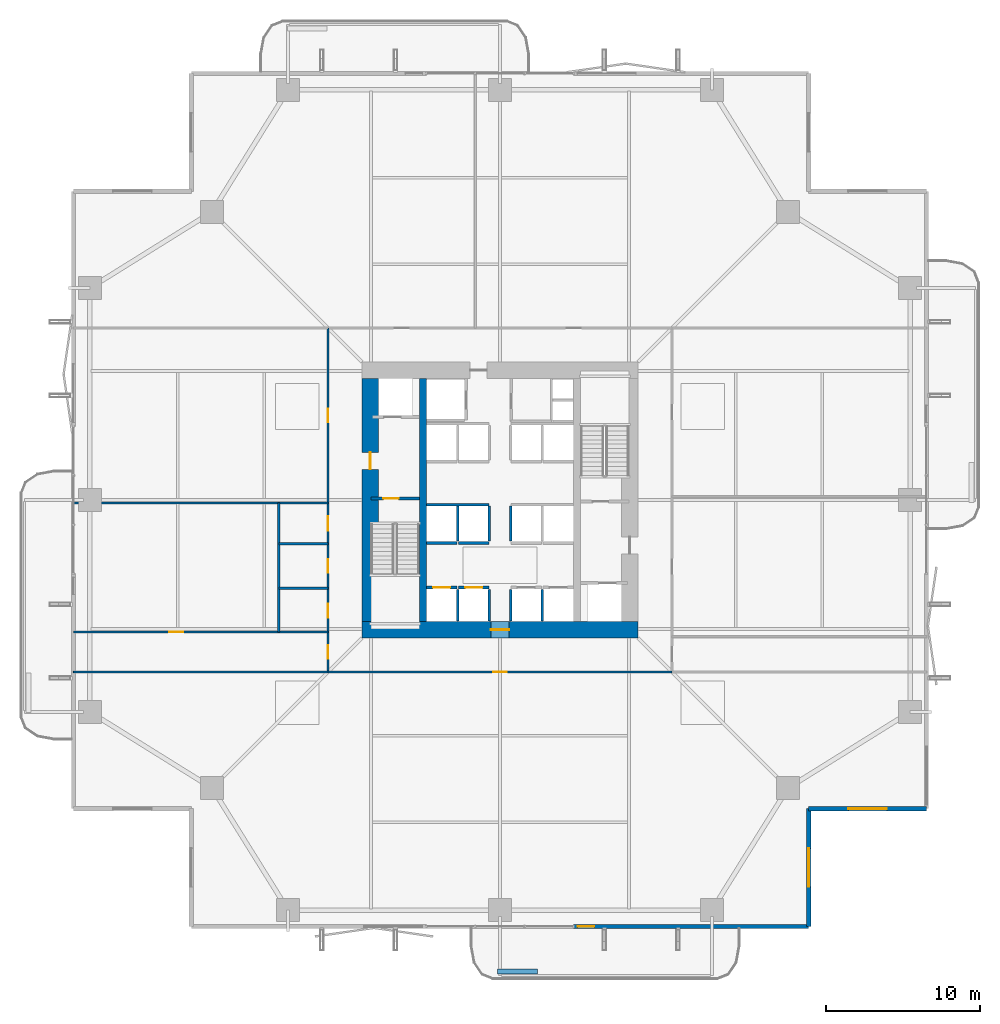
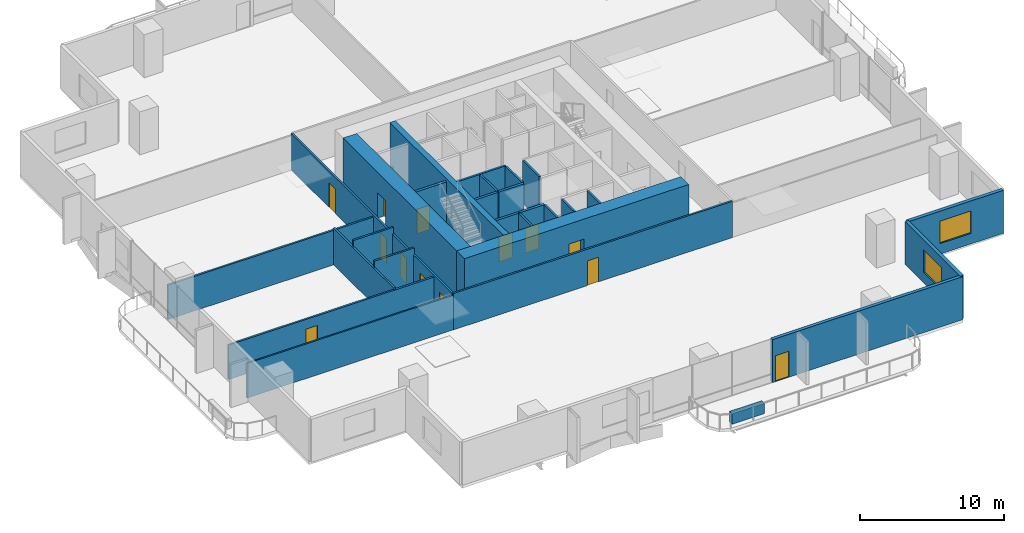
# One storey, part 17 of 23: 28 walls, 13 doors, 2 windows, 15 openings.
"""IFC4 building model written with IfcOpenShell, lengths in metres."""

from ifc_helpers import new_model, si_unit, direction, frame, frame_2d, origin, place, context, subcontext, project, spatial, rectangle, extrude, material, layer, layer_set, type_object, element, fill, save


model = new_model("IFC4")

# Units and contexts
model_context = context("Model", 3, precision=1e-05, world=origin(), true_north=direction((0.0, 1.0)))
body_context = subcontext(model_context, "Body", "Model", "MODEL_VIEW")
ifc_project = project(units=[si_unit("LENGTHUNIT", "METRE"), si_unit("AREAUNIT", "SQUARE_METRE"), si_unit("VOLUMEUNIT", "CUBIC_METRE"), si_unit("PLANEANGLEUNIT", "RADIAN"), si_unit("MASSUNIT", "GRAM", prefix="KILO")], contexts=[model_context])

# Site, building, storey
site_placement = place(None, origin())
site = spatial("IfcSite", under=ifc_project, at=site_placement, CompositionType="ELEMENT")
building_placement = place(site_placement, origin())
building = spatial("IfcBuilding", under=site, at=building_placement, Name="Belovzor Exchange Tower", CompositionType="ELEMENT")
storey_placement = place(building_placement, frame((0.0, 0.0, 84.60009765625)))
storey = spatial("IfcBuildingStorey", under=building, at=storey_placement, Name="L20", CompositionType="ELEMENT", Elevation=84.60009765625)

# Walls
ifc_material_1 = material(Name="Acoustic Plasterboard on Galvanised Studs", Category="gypsum")
ifc_layer_1 = layer(ifc_material_1, 0.1201171875)
ifc_layer_set_1 = layer_set([ifc_layer_1], Name="Acoustic Plasterboard on Galvanised Studs")
wall_type_1 = type_object("IfcWallType", Name="Acoustic Double-Stud Partition Wall 120", PredefinedType="PARTITIONING", material=ifc_layer_set_1)
wall_1_placement = place(storey_placement, frame((1.030029296875, 17.60009765625, 0.0), z_axis=(0.0, 0.0, 1.0), x_axis=(1.0, 0.0, 0.0)))
element("IfcWall", 1, at=wall_1_placement, inside=storey, type_object=wall_type_1, Name="W-P120 Partition Wall W-L20-END-SW", PredefinedType="PARTITIONING", context=body_context, shape_type="SweptSolid", body=[
    extrude(rectangle(XDim=16.570068359375, YDim=0.1201171875, at=frame_2d((8.28515625, 0.0))), origin(), (0.0, 0.0, 1.0), 2.934814453125),
])
ifc_material_2 = material(Name="Fire-Rated Gypsum Block and Mineral Wool", Category="gypsum")
ifc_layer_2 = layer(ifc_material_2, 0.14990234375)
ifc_layer_set_2 = layer_set([ifc_layer_2], Name="Fire-Rated Gypsum Block and Mineral Wool")
wall_type_2 = type_object("IfcWallType", Name="Fire-Rated Gypsum Block Corridor Wall 150", PredefinedType="PARTITIONING", material=ifc_layer_set_2)
wall_2_placement = place(storey_placement, frame((14.39990234375, 20.199951171875, 0.0), z_axis=(0.0, 0.0, 1.0), x_axis=(0.0, 1.0, 0.0)))
element("IfcWall", 2, at=wall_2_placement, inside=storey, type_object=wall_type_2, Name="W-P150 Partition Wall W-L20-WCW", PredefinedType="PARTITIONING", context=body_context, shape_type="SweptSolid", body=[
    extrude(rectangle(XDim=8.400146484375, YDim=0.14990234375, at=frame_2d((4.2001953125, 0.0))), origin(), (0.0, 0.0, 1.0), 3.0849609375),
])

# Wall, opening, door
wall_3_placement = place(storey_placement, frame((1.030029296875, 20.199951171875, 0.0), z_axis=(0.0, 0.0, 1.0), x_axis=(1.0, 0.0, 0.0)))
wall_3 = element("IfcWall", 3, at=wall_3_placement, inside=storey, type_object=wall_type_2, Name="W-P150 Partition Wall W-L20-WCS", PredefinedType="PARTITIONING", context=body_context, shape_type="SweptSolid", body=[
    extrude(rectangle(XDim=16.570068359375, YDim=0.14990234375, at=frame_2d((8.28515625, 0.0))), origin(), (0.0, 0.0, 1.0), 2.934814453125),
])
opening_1_placement = place(wall_3_placement, frame((6.235107421875, 0.0, 0.0)))
opening_1 = element("IfcOpeningElement", 4, at=opening_1_placement, cuts=wall_3, Name="Opening D-INT-090", PredefinedType="OPENING", context=body_context, shape_type="SweptSolid", body=[
    extrude(rectangle(XDim=0.89990234375, YDim=2.10009765625, at=frame_2d((0.449951171875, 1.050048828125))), frame((0.0, 0.0849609375, 0.0), z_axis=(0.0, -1.0, 0.0), x_axis=(1.0, 0.0, 0.0)), (0.0, 0.0, 1.0), 0.169921875),
])
ifc_material_3 = material(Name="Veneered Hardwood Acoustic Leaf", Category="wood")
door_type_1 = type_object("IfcDoorType", Name="Trading Suite Acoustic Single Door 900x2100", OperationType="NOTDEFINED", PredefinedType="DOOR", material=ifc_material_3)
door_1_placement = place(opening_1_placement, origin())
door_1 = element("IfcDoor", 5, at=door_1_placement, inside=storey, type_object=door_type_1, Name="D-INT-090 Trading Suite Acoustic Single Door 900x2100", OperationType="SINGLE_SWING_LEFT", OverallHeight=2.10009765625, OverallWidth=0.89990234375, PredefinedType="DOOR", context=body_context, shape_type="SweptSolid", body=[
    extrude(rectangle(XDim=0.89990234375, YDim=2.10009765625, at=frame_2d((0.449951171875, 1.050048828125))), frame((0.0, 0.02490234375, 0.0), z_axis=(0.0, -1.0, 0.0), x_axis=(1.0, 0.0, 0.0)), (0.0, 0.0, 1.0), 0.050048828125),
])
fill(opening_1, door_1)

# Walls
wall_4_placement = place(storey_placement, frame((1.030029296875, 28.60009765625, 0.0), z_axis=(0.0, 0.0, 1.0), x_axis=(1.0, 0.0, 0.0)))
element("IfcWall", 6, at=wall_4_placement, inside=storey, type_object=wall_type_2, Name="W-P150 Partition Wall W-L20-WCN", PredefinedType="PARTITIONING", context=body_context, shape_type="SweptSolid", body=[
    extrude(rectangle(XDim=16.570068359375, YDim=0.14990234375, at=frame_2d((8.28515625, 0.0))), origin(), (0.0, 0.0, 1.0), 2.934814453125),
])
for number, where, z_axis, x_axis, name in (
    (7, (14.39990234375, 23.050048828125, 0.0), (0.0, 0.0, 1.0), (1.0, 0.0, 0.0), "W-P150 Partition Wall W-L20-WCD1"),
    (8, (14.39990234375, 25.949951171875, 0.0), (0.0, 0.0, 1.0), (1.0, 0.0, 0.0), "W-P150 Partition Wall W-L20-WCD2"),
):
    element("IfcWall", number, at=place(storey_placement, frame(where, z_axis=z_axis, x_axis=x_axis)), inside=storey, type_object=wall_type_2, Name=name, PredefinedType="PARTITIONING", context=body_context, shape_type="SweptSolid", body=[
        extrude(rectangle(XDim=3.2001953125, YDim=0.14990234375, at=frame_2d((1.60009765625, 0.0))), origin(), (0.0, 0.0, 1.0), 3.64990234375),
    ])

# Wall, opening, door
wall_5_placement = place(storey_placement, frame((17.60009765625, 17.60009765625, 0.0), z_axis=(0.0, 0.0, 1.0), x_axis=(1.0, 0.0, 0.0)))
wall_5 = element("IfcWall", 9, at=wall_5_placement, inside=storey, type_object=wall_type_2, Name="W-P150 Partition Wall W-L20-CS", PredefinedType="PARTITIONING", context=body_context, shape_type="SweptSolid", body=[
    extrude(rectangle(XDim=22.39990234375, YDim=0.14990234375, at=frame_2d((11.199951171875, 0.0))), origin(), (0.0, 0.0, 1.0), 3.0849609375),
])
opening_2_placement = place(wall_5_placement, frame((10.75, 0.0, 0.0)))
opening_2 = element("IfcOpeningElement", 10, at=opening_2_placement, cuts=wall_5, Name="Opening D-INT-090", PredefinedType="OPENING", context=body_context, shape_type="SweptSolid", body=[
    extrude(rectangle(XDim=0.89990234375, YDim=2.10009765625, at=frame_2d((0.449951171875, 1.050048828125))), frame((0.0, 0.0849609375, 0.0), z_axis=(0.0, -1.0, 0.0), x_axis=(1.0, 0.0, 0.0)), (0.0, 0.0, 1.0), 0.169921875),
])
door_2_placement = place(opening_2_placement, origin())
door_2 = element("IfcDoor", 11, at=door_2_placement, inside=storey, type_object=door_type_1, Name="D-INT-090 Trading Suite Acoustic Single Door 900x2100", OperationType="SINGLE_SWING_LEFT", OverallHeight=2.10009765625, OverallWidth=0.89990234375, PredefinedType="DOOR", context=body_context, shape_type="SweptSolid", body=[
    extrude(rectangle(XDim=0.89990234375, YDim=2.10009765625, at=frame_2d((0.449951171875, 1.050048828125))), frame((0.0, 0.02490234375, 0.0), z_axis=(0.0, -1.0, 0.0), x_axis=(1.0, 0.0, 0.0)), (0.0, 0.0, 1.0), 0.050048828125),
])
fill(opening_2, door_2)

# Wall, openings, doors
wall_6_placement = place(storey_placement, frame((17.60009765625, 17.60009765625, 0.0), z_axis=(0.0, 0.0, 1.0), x_axis=(0.0, 1.0, 0.0)))
wall_6 = element("IfcWall", 12, at=wall_6_placement, inside=storey, type_object=wall_type_2, Name="W-P150 Partition Wall W-L20-CW", PredefinedType="PARTITIONING", context=body_context, shape_type="SweptSolid", body=[
    extrude(rectangle(XDim=22.39990234375, YDim=0.14990234375, at=frame_2d((11.199951171875, 0.0))), origin(), (0.0, 0.0, 1.0), 3.0849609375),
])
opening_3_placement = place(wall_6_placement, frame((0.85009765625, 0.0, 0.0)))
opening_3 = element("IfcOpeningElement", 13, at=opening_3_placement, cuts=wall_6, Name="Opening D-INT-090", PredefinedType="OPENING", context=body_context, shape_type="SweptSolid", body=[
    extrude(rectangle(XDim=0.89990234375, YDim=2.10009765625, at=frame_2d((0.449951171875, 1.050048828125))), frame((0.0, 0.0849609375, 0.0), z_axis=(0.0, -1.0, 0.0), x_axis=(1.0, 0.0, 0.0)), (0.0, 0.0, 1.0), 0.169921875),
])
opening_4_placement = place(wall_6_placement, frame((3.550048828125, 0.0, 0.0)))
opening_4 = element("IfcOpeningElement", 14, at=opening_4_placement, cuts=wall_6, Name="Opening D-FD60-090", PredefinedType="OPENING", context=body_context, shape_type="SweptSolid", body=[
    extrude(rectangle(XDim=0.89990234375, YDim=2.10009765625, at=frame_2d((0.449951171875, 1.050048828125))), frame((0.0, 0.0849609375, 0.0), z_axis=(0.0, -1.0, 0.0), x_axis=(1.0, 0.0, 0.0)), (0.0, 0.0, 1.0), 0.169921875),
])
opening_5_placement = place(wall_6_placement, frame((6.449951171875, 0.0, 0.0)))
opening_5 = element("IfcOpeningElement", 15, at=opening_5_placement, cuts=wall_6, Name="Opening D-FD60-090", PredefinedType="OPENING", context=body_context, shape_type="SweptSolid", body=[
    extrude(rectangle(XDim=0.89990234375, YDim=2.10009765625, at=frame_2d((0.449951171875, 1.050048828125))), frame((0.0, 0.0849609375, 0.0), z_axis=(0.0, -1.0, 0.0), x_axis=(1.0, 0.0, 0.0)), (0.0, 0.0, 1.0), 0.169921875),
])
opening_6_placement = place(wall_6_placement, frame((9.199951171875, 0.0, 0.0)))
opening_6 = element("IfcOpeningElement", 16, at=opening_6_placement, cuts=wall_6, Name="Opening D-FD60-095", PredefinedType="OPENING", context=body_context, shape_type="SweptSolid", body=[
    extrude(rectangle(XDim=0.949951171875, YDim=2.10009765625, at=frame_2d((0.47509765625, 1.050048828125))), frame((0.0, 0.0849609375, 0.0), z_axis=(0.0, -1.0, 0.0), x_axis=(1.0, 0.0, 0.0)), (0.0, 0.0, 1.0), 0.169921875),
])
opening_7_placement = place(wall_6_placement, frame((16.25, 0.0, 0.0)))
opening_7 = element("IfcOpeningElement", 17, at=opening_7_placement, cuts=wall_6, Name="Opening D-INT-090", PredefinedType="OPENING", context=body_context, shape_type="SweptSolid", body=[
    extrude(rectangle(XDim=0.89990234375, YDim=2.10009765625, at=frame_2d((0.449951171875, 1.050048828125))), frame((0.0, 0.0849609375, 0.0), z_axis=(0.0, -1.0, 0.0), x_axis=(1.0, 0.0, 0.0)), (0.0, 0.0, 1.0), 0.169921875),
])
ifc_material_4 = material(Name="Moisture-Resistant Timber Fire Leaf", Category="wood")
door_type_2 = type_object("IfcDoorType", Name="Accessible Restroom Wide Fire Door 950x2100", OperationType="NOTDEFINED", PredefinedType="DOOR", material=ifc_material_4)
door_3_placement = place(opening_6_placement, origin())
door_3 = element("IfcDoor", 18, at=door_3_placement, inside=storey, type_object=door_type_2, Name="D-FD60-095 Accessible Restroom Wide Fire Door 950x2100", OperationType="SINGLE_SWING_LEFT", OverallHeight=2.10009765625, OverallWidth=0.949951171875, PredefinedType="DOOR", context=body_context, shape_type="SweptSolid", body=[
    extrude(rectangle(XDim=0.949951171875, YDim=2.10009765625, at=frame_2d((0.47509765625, 1.050048828125))), frame((0.0, 0.02490234375, 0.0), z_axis=(0.0, -1.0, 0.0), x_axis=(1.0, 0.0, 0.0)), (0.0, 0.0, 1.0), 0.050048828125),
])
fill(opening_6, door_3)
ifc_material_5 = material(Name="Acoustic Timber Fire Leaf", Category="wood")
door_type_3 = type_object("IfcDoorType", Name="Core Service & Restroom Fire Door 900x2100", OperationType="NOTDEFINED", PredefinedType="DOOR", material=ifc_material_5)
door_4_placement = place(opening_4_placement, origin())
door_4 = element("IfcDoor", 19, at=door_4_placement, inside=storey, type_object=door_type_3, Name="D-FD60-090 Core Service & Restroom Fire Door 900x2100", OperationType="SINGLE_SWING_LEFT", OverallHeight=2.10009765625, OverallWidth=0.89990234375, PredefinedType="DOOR", context=body_context, shape_type="SweptSolid", body=[
    extrude(rectangle(XDim=0.89990234375, YDim=2.10009765625, at=frame_2d((0.449951171875, 1.050048828125))), frame((0.0, 0.02490234375, 0.0), z_axis=(0.0, -1.0, 0.0), x_axis=(1.0, 0.0, 0.0)), (0.0, 0.0, 1.0), 0.050048828125),
])
fill(opening_4, door_4)
door_5_placement = place(opening_5_placement, origin())
door_5 = element("IfcDoor", 20, at=door_5_placement, inside=storey, type_object=door_type_3, Name="D-FD60-090 Core Service & Restroom Fire Door 900x2100", OperationType="SINGLE_SWING_RIGHT", OverallHeight=2.10009765625, OverallWidth=0.89990234375, PredefinedType="DOOR", context=body_context, shape_type="SweptSolid", body=[
    extrude(rectangle(XDim=0.89990234375, YDim=2.10009765625, at=frame_2d((0.449951171875, 1.050048828125))), frame((0.0, 0.02490234375, 0.0), z_axis=(0.0, -1.0, 0.0), x_axis=(1.0, 0.0, 0.0)), (0.0, 0.0, 1.0), 0.050048828125),
])
fill(opening_5, door_5)
door_6_placement = place(opening_3_placement, origin())
door_6 = element("IfcDoor", 21, at=door_6_placement, inside=storey, type_object=door_type_1, Name="D-INT-090 Trading Suite Acoustic Single Door 900x2100", OperationType="SINGLE_SWING_LEFT", OverallHeight=2.10009765625, OverallWidth=0.89990234375, PredefinedType="DOOR", context=body_context, shape_type="SweptSolid", body=[
    extrude(rectangle(XDim=0.89990234375, YDim=2.10009765625, at=frame_2d((0.449951171875, 1.050048828125))), frame((0.0, 0.02490234375, 0.0), z_axis=(0.0, -1.0, 0.0), x_axis=(1.0, 0.0, 0.0)), (0.0, 0.0, 1.0), 0.050048828125),
])
fill(opening_3, door_6)
door_7_placement = place(opening_7_placement, origin())
door_7 = element("IfcDoor", 22, at=door_7_placement, inside=storey, type_object=door_type_1, Name="D-INT-090 Trading Suite Acoustic Single Door 900x2100", OperationType="SINGLE_SWING_RIGHT", OverallHeight=2.10009765625, OverallWidth=0.89990234375, PredefinedType="DOOR", context=body_context, shape_type="SweptSolid", body=[
    extrude(rectangle(XDim=0.89990234375, YDim=2.10009765625, at=frame_2d((0.449951171875, 1.050048828125))), frame((0.0, 0.02490234375, 0.0), z_axis=(0.0, -1.0, 0.0), x_axis=(1.0, 0.0, 0.0)), (0.0, 0.0, 1.0), 0.050048828125),
])
fill(opening_7, door_7)

# Wall, opening, window
ifc_material_6 = material(Name="Precast concrete C40/50", Category="concrete")
ifc_layer_3 = layer(ifc_material_6, 0.280029296875)
ifc_layer_set_3 = layer_set([ifc_layer_3], Name="Precast concrete C40/50")
wall_type_3 = type_object("IfcWallType", Name="Precast Concrete Notched Corner Frame Wall 280", PredefinedType="SOLIDWALL", material=ifc_layer_set_3)
wall_7_placement = place(storey_placement, frame((56.570068359375, 8.699951171875, 0.0), z_axis=(0.0, 0.0, 1.0), x_axis=(-1.0, 0.0, 0.0)))
wall_7 = element("IfcWall", 23, at=wall_7_placement, inside=storey, type_object=wall_type_3, Name="W-CRN280 Precast Concrete Notched Corner Frame Wall 280 L20", PredefinedType="SOLIDWALL", context=body_context, shape_type="SweptSolid", body=[
    extrude(rectangle(XDim=7.670166015625, YDim=0.280029296875, at=frame_2d((3.8349609375, 0.0))), origin(), (0.0, 0.0, 1.0), 3.64990234375),
])
opening_8_placement = place(wall_7_placement, frame((2.5849609375, 0.0, 0.89990234375)))
opening_8 = element("IfcOpeningElement", 24, at=opening_8_placement, cuts=wall_7, Name="Opening WN-CRN250", PredefinedType="OPENING", context=body_context, shape_type="SweptSolid", body=[
    extrude(rectangle(XDim=2.5, YDim=1.89990234375, at=frame_2d((1.25, 0.949951171875))), frame((0.0, 0.14990234375, 0.0), z_axis=(0.0, -1.0, 0.0), x_axis=(1.0, 0.0, 0.0)), (0.0, 0.0, 1.0), 0.300048828125),
])
ifc_material_7 = material(Name="Thermally Broken Aluminium and Triple Glazing", Category="aluminium")
window_type = type_object("IfcWindowType", Name="Streamline Moderne Corner Wrap Ribbon Window 2500x1900", PartitioningType="SINGLE_PANEL", PredefinedType="WINDOW", material=ifc_material_7)
window_1_placement = place(opening_8_placement, origin())
window_1 = element("IfcWindow", 25, at=window_1_placement, inside=storey, type_object=window_type, Name="WN-CRN250 Streamline Moderne Corner Wrap Ribbon Window 2500x1900", OverallHeight=1.89990234375, OverallWidth=2.5, PartitioningType="SINGLE_PANEL", PredefinedType="WINDOW", context=body_context, shape_type="SweptSolid", body=[
    extrude(rectangle(XDim=2.5, YDim=1.89990234375, at=frame_2d((1.25, 0.949951171875))), frame((0.0, 0.030029296875, 0.0), z_axis=(0.0, -1.0, 0.0), x_axis=(1.0, 0.0, 0.0)), (0.0, 0.0, 1.0), 0.06005859375),
])
fill(opening_8, window_1)

wall_8_placement = place(storey_placement, frame((48.89990234375, 8.699951171875, 0.0), z_axis=(0.0, 0.0, 1.0), x_axis=(0.0, -1.0, 0.0)))
wall_8 = element("IfcWall", 26, at=wall_8_placement, inside=storey, type_object=wall_type_3, Name="W-CRN280 Precast Concrete Notched Corner Frame Wall 280 L20", PredefinedType="SOLIDWALL", context=body_context, shape_type="SweptSolid", body=[
    extrude(rectangle(XDim=7.669921875, YDim=0.280029296875, at=frame_2d((3.8349609375, 0.0))), origin(), (0.0, 0.0, 1.0), 3.64990234375),
])
opening_9_placement = place(wall_8_placement, frame((2.5849609375, 0.0, 0.89990234375)))
opening_9 = element("IfcOpeningElement", 27, at=opening_9_placement, cuts=wall_8, Name="Opening WN-CRN250", PredefinedType="OPENING", context=body_context, shape_type="SweptSolid", body=[
    extrude(rectangle(XDim=2.5, YDim=1.89990234375, at=frame_2d((1.25, 0.949951171875))), frame((0.0, 0.14990234375, 0.0), z_axis=(0.0, -1.0, 0.0), x_axis=(1.0, 0.0, 0.0)), (0.0, 0.0, 1.0), 0.300048828125),
])
window_2_placement = place(opening_9_placement, origin())
window_2 = element("IfcWindow", 28, at=window_2_placement, inside=storey, type_object=window_type, Name="WN-CRN250 Streamline Moderne Corner Wrap Ribbon Window 2500x1900", OverallHeight=1.89990234375, OverallWidth=2.5, PartitioningType="SINGLE_PANEL", PredefinedType="WINDOW", context=body_context, shape_type="SweptSolid", body=[
    extrude(rectangle(XDim=2.5, YDim=1.89990234375, at=frame_2d((1.25, 0.949951171875))), frame((0.0, 0.030029296875, 0.0), z_axis=(0.0, -1.0, 0.0), x_axis=(1.0, 0.0, 0.0)), (0.0, 0.0, 1.0), 0.06005859375),
])
fill(opening_9, window_2)

# Wall, opening, door
ifc_material_8 = material(Name="Precast concrete C40/50", Category="concrete")
ifc_layer_4 = layer(ifc_material_8, 0.260009765625)
ifc_layer_set_4 = layer_set([ifc_layer_4], Name="Precast concrete C40/50")
wall_type_4 = type_object("IfcWallType", Name="Precast Concrete Perimeter Loggia Frame Wall 260", PredefinedType="SOLIDWALL", material=ifc_layer_set_4)
wall_9_placement = place(storey_placement, frame((48.89990234375, 1.030029296875, 0.0), z_axis=(0.0, 0.0, 1.0), x_axis=(-1.0, 0.0, 0.0)))
wall_9 = element("IfcWall", 29, at=wall_9_placement, inside=storey, type_object=wall_type_4, Name="W-EXT260 Precast Concrete Perimeter Loggia Frame Wall 260 L20", PredefinedType="SOLIDWALL", context=body_context, shape_type="SweptSolid", body=[
    extrude(rectangle(XDim=15.2998046875, YDim=0.260009765625, at=frame_2d((7.64990234375, 0.0))), origin(), (0.0, 0.0, 1.0), 3.64990234375),
])
opening_10_placement = place(wall_9_placement, frame((13.949951171875, 0.0, 0.0)))
opening_10 = element("IfcOpeningElement", 30, at=opening_10_placement, cuts=wall_9, Name="Opening D-BAL110", PredefinedType="OPENING", context=body_context, shape_type="SweptSolid", body=[
    extrude(rectangle(XDim=1.10009765625, YDim=2.199951171875, at=frame_2d((0.550048828125, 1.10009765625))), frame((0.0, 0.139892578125, 0.0), z_axis=(0.0, -1.0, 0.0), x_axis=(1.0, 0.0, 0.0)), (0.0, 0.0, 1.0), 0.280029296875),
])
ifc_material_9 = material(Name="Thermally Broken Anodised Aluminium and Laminated Glass", Category="aluminium")
door_type_4 = type_object("IfcDoorType", Name="Planted Loggia Terrace Glazed Door 1100x2200", OperationType="SINGLE_SWING_LEFT", PredefinedType="DOOR", material=ifc_material_9)
door_8_placement = place(opening_10_placement, origin())
door_8 = element("IfcDoor", 31, at=door_8_placement, inside=storey, type_object=door_type_4, Name="D-BAL110 Balcony Terrace Door L20 S", OperationType="SINGLE_SWING_LEFT", OverallHeight=2.199951171875, OverallWidth=1.10009765625, PredefinedType="DOOR", context=body_context, shape_type="SweptSolid", body=[
    extrude(rectangle(XDim=1.10009765625, YDim=2.199951171875, at=frame_2d((0.550048828125, 1.10009765625))), frame((0.0, 0.02490234375, 0.0), z_axis=(0.0, -1.0, 0.0), x_axis=(1.0, 0.0, 0.0)), (0.0, 0.0, 1.0), 0.050048828125),
])
fill(opening_10, door_8)

# Walls
ifc_material_10 = material(Name="Precast concrete C40/50", Category="concrete")
ifc_layer_5 = layer(ifc_material_10, 0.35009765625)
ifc_layer_set_5 = layer_set([ifc_layer_5], Name="Precast concrete C40/50")
wall_type_5 = type_object("IfcWallType", Name="Precast Concrete Structural Tree Planter Trough 350", PredefinedType="PARAPET", material=ifc_layer_set_5)
wall_10_placement = place(storey_placement, frame((28.64990234375, -1.89990234375, 0.0), z_axis=(0.0, 0.0, 1.0), x_axis=(1.0, 0.0, 0.0)))
element("IfcWall", 32, at=wall_10_placement, inside=storey, type_object=wall_type_5, Name="PT-350 Precast Concrete Structural Tree Planter Trough 350 L20", PredefinedType="PARAPET", context=body_context, shape_type="SweptSolid", body=[
    extrude(rectangle(XDim=2.60009765625, YDim=0.35009765625, at=frame_2d((1.300048828125, 0.0))), origin(), (0.0, 0.0, 1.0), 0.89990234375),
])
ifc_material_11 = material(Name="Concrete C50/60", Category="concrete")
ifc_layer_6 = layer(ifc_material_11, 0.449951171875)
ifc_layer_set_6 = layer_set([ifc_layer_6], Name="Concrete C50/60")
wall_type_6 = type_object("IfcWallType", Name="Reinforced Concrete Core Internal Web Wall 450", PredefinedType="SHEAR", material=ifc_layer_set_6)
wall_11_placement = place(storey_placement, frame((23.77490234375, 20.89990234375, 0.0), z_axis=(0.0, 0.0, 1.0), x_axis=(0.0, 1.0, 0.0)))
element("IfcWall", 33, at=wall_11_placement, inside=storey, type_object=wall_type_6, Name="CW-W045 Core Internal Web Wall L20 WL", PredefinedType="SHEAR", context=body_context, shape_type="SweptSolid", body=[
    extrude(rectangle(XDim=15.800048828125, YDim=0.449951171875, at=frame_2d((7.89990234375, 0.0))), origin(), (0.0, 0.0, 1.0), 3.89990234375),
])
ifc_material_12 = material(Name="Concrete C50/60", Category="concrete")
ifc_layer_7 = layer(ifc_material_12, 0.14990234375)
ifc_layer_set_7 = layer_set([ifc_layer_7], Name="Concrete C50/60")
wall_type_7 = type_object("IfcWallType", Name="Reinforced Concrete Core Riser Shear Wall 150", PredefinedType="SHEAR", material=ifc_layer_set_7)
for number, where, z_axis, x_axis, name in (
    (34, (26.050048828125, 20.919921875, 0.0), (0.0, 0.0, 1.0), (0.0, 1.0, 0.0), "W-C150S Core Shaft Wall W-SHD-L20-PLL-1"),
    (35, (28.10009765625, 20.919921875, 0.0), (0.0, 0.0, 1.0), (0.0, 1.0, 0.0), "W-C150S Core Shaft Wall W-SHD-L20-PLL-2"),
    (36, (29.5, 20.919921875, 0.0), (0.0, 0.0, 1.0), (0.0, 1.0, 0.0), "W-C150S Core Shaft Wall W-SHD-L20-PLL-3"),
    (37, (31.550048828125, 20.919921875, 0.0), (0.0, 0.0, 1.0), (0.0, 1.0, 0.0), "W-C150S Core Shaft Wall W-SHD-L20-PLL-4"),
):
    element("IfcWall", number, at=place(storey_placement, frame(where, z_axis=z_axis, x_axis=x_axis)), inside=storey, type_object=wall_type_7, Name=name, PredefinedType="SHEAR", context=body_context, shape_type="SweptSolid", body=[
        extrude(rectangle(XDim=2.06005859375, YDim=0.14990234375, at=frame_2d((1.030029296875, 0.0))), origin(), (0.0, 0.0, 1.0), 3.64990234375),
    ])
wall_12_placement = place(storey_placement, frame((24.02001953125, 28.5, 0.0), z_axis=(0.0, 0.0, 1.0), x_axis=(1.0, 0.0, 0.0)))
element("IfcWall", 38, at=wall_12_placement, inside=storey, type_object=wall_type_7, Name="W-C150S Core Shaft Wall W-SHB-L20-PLM-NW", PredefinedType="SHEAR", context=body_context, shape_type="SweptSolid", body=[
    extrude(rectangle(XDim=4.080078125, YDim=0.14990234375, at=frame_2d((2.0400390625, 0.0))), origin(), (0.0, 0.0, 1.0), 3.64990234375),
])
for number, where, z_axis, x_axis, name in (
    (39, (26.050048828125, 26.1201171875, 0.0), (0.0, 0.0, 1.0), (0.0, 1.0, 0.0), "W-C150S Core Shaft Wall W-SHD-L20-PLM-1"),
    (40, (28.10009765625, 26.1201171875, 0.0), (0.0, 0.0, 1.0), (0.0, 1.0, 0.0), "W-C150S Core Shaft Wall W-SHD-L20-PLM-2"),
    (41, (29.5, 26.1201171875, 0.0), (0.0, 0.0, 1.0), (0.0, 1.0, 0.0), "W-C150S Core Shaft Wall W-SHD-L20-PLM-3"),
):
    element("IfcWall", number, at=place(storey_placement, frame(where, z_axis=z_axis, x_axis=x_axis)), inside=storey, type_object=wall_type_7, Name=name, PredefinedType="SHEAR", context=body_context, shape_type="SweptSolid", body=[
        extrude(rectangle(XDim=2.27978515625, YDim=0.14990234375, at=frame_2d((1.139892578125, 0.0))), origin(), (0.0, 0.0, 1.0), 3.64990234375),
    ])

# Wall, opening, door
ifc_material_13 = material(Name="Concrete C50/60", Category="concrete")
ifc_layer_8 = layer(ifc_material_13, 0.199951171875)
ifc_layer_set_8 = layer_set([ifc_layer_8], Name="Concrete C50/60")
wall_type_8 = type_object("IfcWallType", Name="Reinforced Concrete Core Shaft Shear Wall 200", PredefinedType="SHEAR", material=ifc_layer_set_8)
wall_13_placement = place(storey_placement, frame((20.39990234375, 28.89990234375, 0.0), z_axis=(0.0, 0.0, 1.0), x_axis=(1.0, 0.0, 0.0)))
wall_13 = element("IfcWall", 42, at=wall_13_placement, inside=storey, type_object=wall_type_8, Name="W-C200S Core Shaft Wall W-CORE-L20-FFLW1", PredefinedType="SHEAR", context=body_context, shape_type="SweptSolid", body=[
    extrude(rectangle(XDim=3.150146484375, YDim=0.199951171875, at=frame_2d((1.5751953125, 0.0))), origin(), (0.0, 0.0, 1.0), 3.64990234375),
])
opening_11_placement = place(wall_13_placement, frame((0.800048828125, 0.0, 0.0)))
opening_11 = element("IfcOpeningElement", 43, at=opening_11_placement, cuts=wall_13, Name="Opening D-FD90-100", PredefinedType="OPENING", context=body_context, shape_type="SweptSolid", body=[
    extrude(rectangle(XDim=1.0, YDim=2.10009765625, at=frame_2d((0.5, 1.050048828125))), frame((0.0, 0.10986328125, 0.0), z_axis=(0.0, -1.0, 0.0), x_axis=(1.0, 0.0, 0.0)), (0.0, 0.0, 1.0), 0.219970703125),
])
ifc_material_14 = material(Name="Fire-Rated Galvanised Steel Leaf", Category="steel")
door_type_5 = type_object("IfcDoorType", Name="Protected Stairwell Single Fire Door 1000x2100", OperationType="NOTDEFINED", PredefinedType="DOOR", material=ifc_material_14)
door_9_placement = place(opening_11_placement, origin())
door_9 = element("IfcDoor", 44, at=door_9_placement, inside=storey, type_object=door_type_5, Name="D-FD90-100 Protected Stairwell Single Fire Door 1000x2100", OperationType="SINGLE_SWING_RIGHT", OverallHeight=2.10009765625, OverallWidth=1.0, PredefinedType="DOOR", context=body_context, shape_type="SweptSolid", body=[
    extrude(rectangle(XDim=1.0, YDim=2.10009765625, at=frame_2d((0.5, 1.050048828125))), frame((0.0, 0.02490234375, 0.0), z_axis=(0.0, -1.0, 0.0), x_axis=(1.0, 0.0, 0.0)), (0.0, 0.0, 1.0), 0.050048828125),
])
fill(opening_11, door_9)

wall_14_placement = place(storey_placement, frame((24.0, 23.10009765625, 0.0), z_axis=(0.0, 0.0, 1.0), x_axis=(1.0, 0.0, 0.0)))
wall_14 = element("IfcWall", 45, at=wall_14_placement, inside=storey, type_object=wall_type_8, Name="W-C200S Core Shaft Wall W-SH-L20-PL-L1", PredefinedType="SHEAR", context=body_context, shape_type="SweptSolid", body=[
    extrude(rectangle(XDim=2.0, YDim=0.199951171875, at=frame_2d((1.0, 0.0))), origin(), (0.0, 0.0, 1.0), 3.64990234375),
])
opening_12_placement = place(wall_14_placement, frame((0.449951171875, 0.0, 0.0)))
opening_12 = element("IfcOpeningElement", 46, at=opening_12_placement, cuts=wall_14, Name="Opening LD-110", PredefinedType="OPENING", context=body_context, shape_type="SweptSolid", body=[
    extrude(rectangle(XDim=1.10009765625, YDim=2.14990234375, at=frame_2d((0.550048828125, 1.074951171875))), frame((0.0, 0.10986328125, 0.0), z_axis=(0.0, -1.0, 0.0), x_axis=(1.0, 0.0, 0.0)), (0.0, 0.0, 1.0), 0.219970703125),
])
ifc_material_15 = material(Name="Stainless Steel Grade 304", Category="steel")
door_type_6 = type_object("IfcDoorType", Name="Automated Stainless Steel Lift Landing Door 1100x2150", OperationType="SLIDING_TO_RIGHT", PredefinedType="DOOR", material=ifc_material_15)
door_10_placement = place(opening_12_placement, origin())
door_10 = element("IfcDoor", 47, at=door_10_placement, inside=storey, type_object=door_type_6, Name="LD-110 Automated Stainless Steel Lift Landing Door 1100x2150", OperationType="SLIDING_TO_RIGHT", OverallHeight=2.14990234375, OverallWidth=1.10009765625, PredefinedType="DOOR", context=body_context, shape_type="SweptSolid", body=[
    extrude(rectangle(XDim=1.10009765625, YDim=2.14990234375, at=frame_2d((0.550048828125, 1.074951171875))), frame((0.0, 0.02490234375, 0.0), z_axis=(0.0, -1.0, 0.0), x_axis=(1.0, 0.0, 0.0)), (0.0, 0.0, 1.0), 0.050048828125),
])
fill(opening_12, door_10)

wall_15_placement = place(storey_placement, frame((26.10009765625, 23.10009765625, 0.0), z_axis=(0.0, 0.0, 1.0), x_axis=(1.0, 0.0, 0.0)))
wall_15 = element("IfcWall", 48, at=wall_15_placement, inside=storey, type_object=wall_type_8, Name="W-C200S Core Shaft Wall W-SH-L20-PL-L2", PredefinedType="SHEAR", context=body_context, shape_type="SweptSolid", body=[
    extrude(rectangle(XDim=2.0, YDim=0.199951171875, at=frame_2d((1.0, 0.0))), origin(), (0.0, 0.0, 1.0), 3.64990234375),
])
opening_13_placement = place(wall_15_placement, frame((0.449951171875, 0.0, 0.0)))
opening_13 = element("IfcOpeningElement", 49, at=opening_13_placement, cuts=wall_15, Name="Opening LD-110", PredefinedType="OPENING", context=body_context, shape_type="SweptSolid", body=[
    extrude(rectangle(XDim=1.10009765625, YDim=2.14990234375, at=frame_2d((0.550048828125, 1.074951171875))), frame((0.0, 0.10986328125, 0.0), z_axis=(0.0, -1.0, 0.0), x_axis=(1.0, 0.0, 0.0)), (0.0, 0.0, 1.0), 0.219970703125),
])
door_11_placement = place(opening_13_placement, origin())
door_11 = element("IfcDoor", 50, at=door_11_placement, inside=storey, type_object=door_type_6, Name="LD-110 Automated Stainless Steel Lift Landing Door 1100x2150", OperationType="SLIDING_TO_RIGHT", OverallHeight=2.14990234375, OverallWidth=1.10009765625, PredefinedType="DOOR", context=body_context, shape_type="SweptSolid", body=[
    extrude(rectangle(XDim=1.10009765625, YDim=2.14990234375, at=frame_2d((0.550048828125, 1.074951171875))), frame((0.0, 0.02490234375, 0.0), z_axis=(0.0, -1.0, 0.0), x_axis=(1.0, 0.0, 0.0)), (0.0, 0.0, 1.0), 0.050048828125),
])
fill(opening_13, door_11)

# Walls
for number, where, z_axis, x_axis, name in (
    (51, (24.0, 26.0, 0.0), (0.0, 0.0, 1.0), (1.0, 0.0, 0.0), "W-C200S Core Shaft Wall W-SH-L20-PL-M1"),
    (52, (26.10009765625, 26.0, 0.0), (0.0, 0.0, 1.0), (1.0, 0.0, 0.0), "W-C200S Core Shaft Wall W-SH-L20-PL-M2"),
):
    element("IfcWall", number, at=place(storey_placement, frame(where, z_axis=z_axis, x_axis=x_axis)), inside=storey, type_object=wall_type_8, Name=name, PredefinedType="SHEAR", context=body_context, shape_type="SweptSolid", body=[
        extrude(rectangle(XDim=2.0, YDim=0.199951171875, at=frame_2d((1.0, 0.0))), origin(), (0.0, 0.0, 1.0), 3.64990234375),
    ])

# Wall, opening, door
ifc_material_16 = material(Name="Concrete C60/75", Category="concrete")
ifc_layer_9 = layer(ifc_material_16, 1.10009765625)
ifc_layer_set_9 = layer_set([ifc_layer_9], Name="Concrete C60/75")
wall_type_9 = type_object("IfcWallType", Name="Reinforced Concrete Core Shear Wall 1100", PredefinedType="SHEAR", material=ifc_layer_set_9)
wall_16_placement = place(storey_placement, frame((19.800048828125, 20.35009765625, 0.0), z_axis=(0.0, 0.0, 1.0), x_axis=(1.0, 0.0, 0.0)))
wall_16 = element("IfcWall", 53, at=wall_16_placement, inside=storey, type_object=wall_type_9, Name="CW-S110 Core Shear Wall L20 S", PredefinedType="SHEAR", context=body_context, shape_type="SweptSolid", body=[
    extrude(rectangle(XDim=18.0, YDim=1.10009765625, at=frame_2d((9.0, 0.0))), origin(), (0.0, 0.0, 1.0), 3.89990234375),
])
opening_14_placement = place(wall_16_placement, frame((8.39990234375, 0.0, 0.0)))
opening_14 = element("IfcOpeningElement", 54, at=opening_14_placement, cuts=wall_16, Name="Opening D-FD90-120", PredefinedType="OPENING", context=body_context, shape_type="SweptSolid", body=[
    extrude(rectangle(XDim=1.199951171875, YDim=2.199951171875, at=frame_2d((0.60009765625, 1.10009765625))), frame((0.0, 0.56005859375, 0.0), z_axis=(0.0, -1.0, 0.0), x_axis=(1.0, 0.0, 0.0)), (0.0, 0.0, 1.0), 1.1201171875),
])
ifc_material_17 = material(Name="Fire-Rated Galvanised Steel Leaf", Category="steel")
door_type_7 = type_object("IfcDoorType", Name="Heavy Plant & Foyer Fire Door 1200x2200", OperationType="NOTDEFINED", PredefinedType="DOOR", material=ifc_material_17)
door_12_placement = place(opening_14_placement, origin())
door_12 = element("IfcDoor", 55, at=door_12_placement, inside=storey, type_object=door_type_7, Name="D-FD90-120 Heavy Plant & Foyer Fire Door 1200x2200", OperationType="SINGLE_SWING_LEFT", OverallHeight=2.199951171875, OverallWidth=1.199951171875, PredefinedType="DOOR", context=body_context, shape_type="SweptSolid", body=[
    extrude(rectangle(XDim=1.199951171875, YDim=2.199951171875, at=frame_2d((0.60009765625, 1.10009765625))), frame((0.0, 0.02490234375, 0.0), z_axis=(0.0, -1.0, 0.0), x_axis=(1.0, 0.0, 0.0)), (0.0, 0.0, 1.0), 0.050048828125),
])
fill(opening_14, door_12)

wall_17_placement = place(storey_placement, frame((20.35009765625, 20.89990234375, 0.0), z_axis=(0.0, 0.0, 1.0), x_axis=(0.0, 1.0, 0.0)))
wall_17 = element("IfcWall", 56, at=wall_17_placement, inside=storey, type_object=wall_type_9, Name="CW-S110 Core Shear Wall L20 W", PredefinedType="SHEAR", context=body_context, shape_type="SweptSolid", body=[
    extrude(rectangle(XDim=15.800048828125, YDim=1.10009765625, at=frame_2d((7.89990234375, 0.0))), origin(), (0.0, 0.0, 1.0), 3.89990234375),
])
opening_15_placement = place(wall_17_placement, frame((9.89990234375, 0.0, 0.0)))
opening_15 = element("IfcOpeningElement", 57, at=opening_15_placement, cuts=wall_17, Name="Opening D-FD90-110", PredefinedType="OPENING", context=body_context, shape_type="SweptSolid", body=[
    extrude(rectangle(XDim=1.10009765625, YDim=2.14990234375, at=frame_2d((0.550048828125, 1.074951171875))), frame((0.0, 0.56005859375, 0.0), z_axis=(0.0, -1.0, 0.0), x_axis=(1.0, 0.0, 0.0)), (0.0, 0.0, 1.0), 1.1201171875),
])
ifc_material_18 = material(Name="Fire-Rated Galvanised Steel Leaf", Category="steel")
door_type_8 = type_object("IfcDoorType", Name="Protected Escape Vestibule Fire Door 1100x2150", OperationType="NOTDEFINED", PredefinedType="DOOR", material=ifc_material_18)
door_13_placement = place(opening_15_placement, origin())
door_13 = element("IfcDoor", 58, at=door_13_placement, inside=storey, type_object=door_type_8, Name="D-FD90-110 Protected Escape Vestibule Fire Door 1100x2150", OperationType="SINGLE_SWING_LEFT", OverallHeight=2.14990234375, OverallWidth=1.10009765625, PredefinedType="DOOR", context=body_context, shape_type="SweptSolid", body=[
    extrude(rectangle(XDim=1.10009765625, YDim=2.14990234375, at=frame_2d((0.550048828125, 1.074951171875))), frame((0.0, 0.02490234375, 0.0), z_axis=(0.0, -1.0, 0.0), x_axis=(1.0, 0.0, 0.0)), (0.0, 0.0, 1.0), 0.050048828125),
])
fill(opening_15, door_13)

save(model, "model.ifc")
